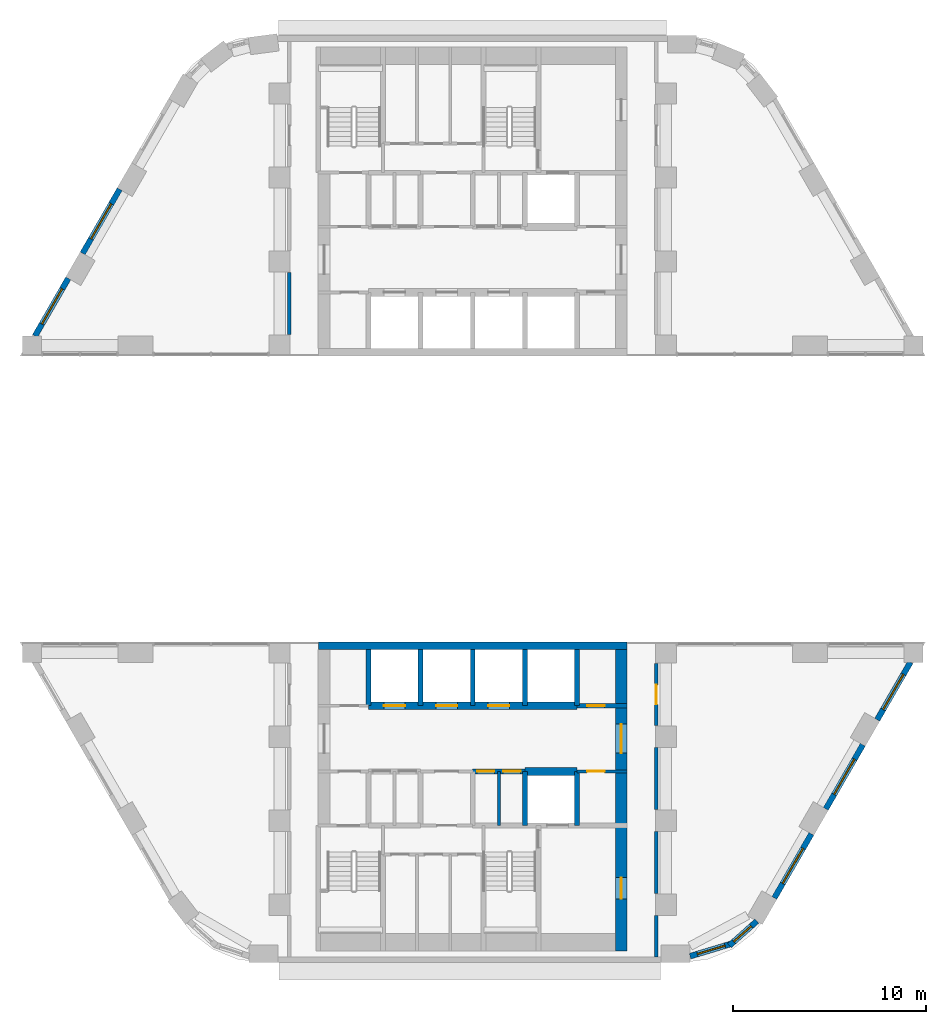
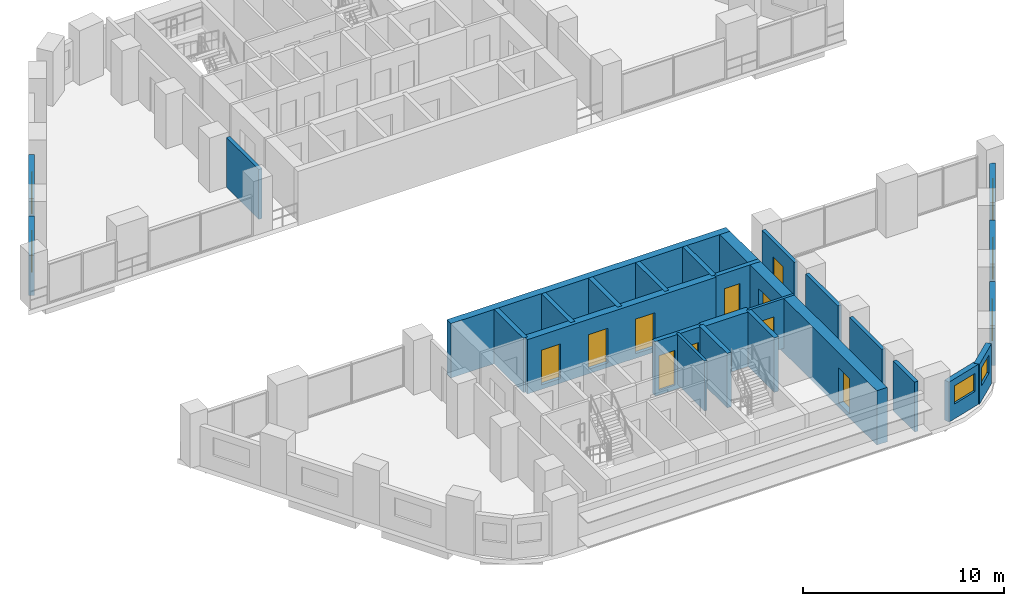
# One storey, part 6 of 11: 27 walls, 10 doors, 7 windows, 17 openings.
"""IFC4 building model written with IfcOpenShell, lengths in metres."""

from ifc_helpers import new_model, si_unit, direction, frame, frame_2d, origin, place, context, subcontext, project, spatial, rectangle, extrude, material, layer, layer_set, type_object, element, fill, save


model = new_model("IFC4")

# Units and contexts
model_context = context("Model", 3, precision=1e-05, world=origin(), true_north=direction((0.0, 1.0)))
body_context = subcontext(model_context, "Body", "Model", "MODEL_VIEW")
ifc_project = project(units=[si_unit("LENGTHUNIT", "METRE"), si_unit("AREAUNIT", "SQUARE_METRE"), si_unit("VOLUMEUNIT", "CUBIC_METRE"), si_unit("PLANEANGLEUNIT", "RADIAN"), si_unit("MASSUNIT", "GRAM", prefix="KILO")], contexts=[model_context])

# Site, building, storey
site_placement = place(None, origin())
site = spatial("IfcSite", under=ifc_project, at=site_placement, CompositionType="ELEMENT")
building_placement = place(site_placement, origin())
building = spatial("IfcBuilding", under=site, at=building_placement, Name="Nakaniwa Court", CompositionType="ELEMENT")
storey_placement = place(building_placement, frame((0.0, 0.0, 31.5)))
storey = spatial("IfcBuildingStorey", under=building, at=storey_placement, Name="L07", CompositionType="ELEMENT", Elevation=31.5)

# Walls
ifc_material_1 = material(Name="Acoustic double stud partition")
ifc_layer_1 = layer(ifc_material_1, 0.199951171875)
ifc_layer_set_1 = layer_set([ifc_layer_1], Name="Acoustic double stud partition")
wall_type_1 = type_object("IfcWallType", Name="Acoustic double stud partition 200", PredefinedType="PARTITIONING", material=ifc_layer_set_1)
wall_1_placement = place(storey_placement, frame((89.5, 56.300048828125, 0.0), z_axis=(0.0, 0.0, 1.0), x_axis=(0.0, 1.0, 0.0)))
element("IfcWall", 1, at=wall_1_placement, inside=storey, type_object=wall_type_1, Name="Partition PW-073", PredefinedType="PARTITIONING", context=body_context, shape_type="SweptSolid", body=[
    extrude(rectangle(XDim=2.133056640625, YDim=0.199951171875, at=frame_2d((1.06640625, 0.0))), origin(), (0.0, 0.0, 1.0), 3.02490234375),
])
for number, where, z_axis, x_axis, name in (
    (2, (89.5, 59.56689453125, 0.0), (0.0, 0.0, 1.0), (0.0, 1.0, 0.0), "Partition PW-074"),
    (3, (89.5, 63.9169921875, 0.0), (0.0, 0.0, 1.0), (0.0, 1.0, 0.0), "Partition PW-075"),
):
    element("IfcWall", number, at=place(storey_placement, frame(where, z_axis=z_axis, x_axis=x_axis)), inside=storey, type_object=wall_type_1, Name=name, PredefinedType="PARTITIONING", context=body_context, shape_type="SweptSolid", body=[
        extrude(rectangle(XDim=3.216064453125, YDim=0.199951171875, at=frame_2d((1.60791015625, 0.0))), origin(), (0.0, 0.0, 1.0), 3.02490234375),
    ])

# Wall, opening, door
wall_2_placement = place(storey_placement, frame((89.5, 71.48291015625, 0.0), z_axis=(0.0, 0.0, 1.0), x_axis=(0.0, -1.0, 0.0)))
wall_2 = element("IfcWall", 4, at=wall_2_placement, inside=storey, type_object=wall_type_1, Name="Partition PW-076", PredefinedType="PARTITIONING", context=body_context, shape_type="SweptSolid", body=[
    extrude(rectangle(XDim=3.2158203125, YDim=0.199951171875, at=frame_2d((1.60791015625, 0.0))), origin(), (0.0, 0.0, 1.0), 3.02490234375),
])
opening_1_placement = place(wall_2_placement, frame((1.10791015625, 0.0, 0.0)))
opening_1 = element("IfcOpeningElement", 5, at=opening_1_placement, cuts=wall_2, Name="Opening D-02-01", PredefinedType="OPENING", context=body_context, shape_type="SweptSolid", body=[
    extrude(rectangle(XDim=1.0, YDim=2.10009765625, at=frame_2d((0.5, 1.050048828125))), frame((0.0, 0.10986328125, 0.0), z_axis=(0.0, -1.0, 0.0), x_axis=(1.0, 0.0, 0.0)), (0.0, 0.0, 1.0), 0.219970703125),
])
ifc_material_2 = material(Name="Solid core timber door set, black veneer", Category="wood")
door_type_1 = type_object("IfcDoorType", Name="Internal door 1000", OperationType="NOTDEFINED", PredefinedType="DOOR", material=ifc_material_2)
door_1_placement = place(opening_1_placement, origin())
door_1 = element("IfcDoor", 6, at=door_1_placement, inside=storey, type_object=door_type_1, Name="Door D-02-01 L07-031", OperationType="SINGLE_SWING_RIGHT", OverallHeight=2.10009765625, OverallWidth=1.0, PredefinedType="DOOR", context=body_context, shape_type="SweptSolid", body=[
    extrude(rectangle(XDim=1.0, YDim=2.10009765625, at=frame_2d((0.5, 1.050048828125))), frame((0.0, 0.02490234375, 0.0), z_axis=(0.0, -1.0, 0.0), x_axis=(1.0, 0.0, 0.0)), (0.0, 0.0, 1.0), 0.050048828125),
])
fill(opening_1, door_1)

# Wall
wall_3_placement = place(storey_placement, frame((70.5, 88.51708984375, 0.0), z_axis=(0.0, 0.0, 1.0), x_axis=(0.0, 1.0, 0.0)))
element("IfcWall", 7, at=wall_3_placement, inside=storey, type_object=wall_type_1, Name="Partition PW-085", PredefinedType="PARTITIONING", context=body_context, shape_type="SweptSolid", body=[
    extrude(rectangle(XDim=3.2158203125, YDim=0.199951171875, at=frame_2d((1.60791015625, 0.0))), origin(), (0.0, 0.0, 1.0), 3.02490234375),
])

# Wall, opening, window
ifc_material_3 = material(Name="Charcoal ceramic cladding")
ifc_layer_2 = layer(ifc_material_3, 0.02, Name="Ceramic cladding")
ifc_material_4 = material(Name="Ventilated air cavity")
ifc_layer_3 = layer(ifc_material_4, 0.04, ventilated=True, Name="Ventilated cavity")
ifc_material_5 = material(Name="Mineral wool insulation")
ifc_layer_4 = layer(ifc_material_5, 0.1, Name="Insulation")
ifc_material_6 = material(Name="Cement bonded sheathing board")
ifc_layer_5 = layer(ifc_material_6, 0.012, Name="Sheathing")
ifc_material_7 = material(Name="Cold-formed galvanised stud frame with mineral wool infill")
ifc_layer_6 = layer(ifc_material_7, 0.1, Name="Stud frame")
ifc_material_8 = material(Name="Fire-rated gypsum plasterboard lining")
ifc_layer_7 = layer(ifc_material_8, 0.028, Name="Lining")
ifc_layer_set_2 = layer_set([ifc_layer_2, ifc_layer_3, ifc_layer_4, ifc_layer_5, ifc_layer_6, ifc_layer_7], Name="Charcoal ceramic faced external wall system")
wall_type_2 = type_object("IfcWallType", Name="Black ceramic faced external wall 300", PredefinedType="SOLIDWALL", material=ifc_layer_set_2)
wall_4_placement = place(storey_placement, frame((98.2783203125, 63.958984375, 0.0), z_axis=(0.0, 0.0, 1.0), x_axis=(0.500001735503, 0.866024401789, 0.0)))
wall_4 = element("IfcWall", 8, at=wall_4_placement, inside=storey, type_object=wall_type_2, Name="L07 external wall 00", PredefinedType="SOLIDWALL", context=body_context, shape_type="SweptSolid", body=[
    extrude(rectangle(XDim=3.833984375, YDim=0.300048828125, at=frame_2d((1.9169921875, 0.0))), origin(), (0.0, 0.0, 1.0), 2.425048828125),
])
opening_2_placement = place(wall_4_placement, frame((0.866943359375, 0.0, 0.89990234375)))
opening_2 = element("IfcOpeningElement", 9, at=opening_2_placement, cuts=wall_4, Name="Opening W7.01", PredefinedType="OPENING", context=body_context, shape_type="SweptSolid", body=[
    extrude(rectangle(XDim=2.10009765625, YDim=1.10009765625, at=frame_2d((1.050048828125, 0.550048828125))), frame((0.0, 0.159912109375, 0.0), z_axis=(0.0, -1.0, 0.0), x_axis=(1.0, 0.0, 0.0)), (0.0, 0.0, 1.0), 0.320068359375),
])
ifc_material_9 = material(Name="Black anodised aluminium frame with dark low-E laminated double glazing", Category="aluminium")
window_type_1 = type_object("IfcWindowType", Name="Dark glass window 2100x1100 sill 900", PartitioningType="SINGLE_PANEL", PredefinedType="WINDOW", material=ifc_material_9)
window_1_placement = place(opening_2_placement, origin())
window_1 = element("IfcWindow", 10, at=window_1_placement, inside=storey, type_object=window_type_1, Name="L07 habitable room window 00-0", OverallHeight=1.10009765625, OverallWidth=2.10009765625, PartitioningType="SINGLE_PANEL", PredefinedType="WINDOW", context=body_context, shape_type="SweptSolid", body=[
    extrude(rectangle(XDim=2.10009765625, YDim=1.10009765625, at=frame_2d((1.050048828125, 0.550048828125))), frame((0.0, 0.030029296875, 0.0), z_axis=(0.0, -1.0, 0.0), x_axis=(1.0, 0.0, 0.0)), (0.0, 0.0, 1.0), 0.06005859375),
])
fill(opening_2, window_1)

wall_5_placement = place(storey_placement, frame((100.941162109375, 68.5712890625, 0.0), z_axis=(0.0, 0.0, 1.0), x_axis=(0.500035437112, 0.866004943191, 0.0)))
wall_5 = element("IfcWall", 11, at=wall_5_placement, inside=storey, type_object=wall_type_2, Name="L07 external wall 01", PredefinedType="SOLIDWALL", context=body_context, shape_type="SweptSolid", body=[
    extrude(rectangle(XDim=3.443603515625, YDim=0.300048828125, at=frame_2d((1.7216796875, 0.0))), origin(), (0.0, 0.0, 1.0), 2.425048828125),
])
opening_3_placement = place(wall_5_placement, frame((0.62109375, 0.0, 0.89990234375)))
opening_3 = element("IfcOpeningElement", 12, at=opening_3_placement, cuts=wall_5, Name="Opening W7.02", PredefinedType="OPENING", context=body_context, shape_type="SweptSolid", body=[
    extrude(rectangle(XDim=2.10009765625, YDim=1.10009765625, at=frame_2d((1.050048828125, 0.550048828125))), frame((0.0, 0.159912109375, 0.0), z_axis=(0.0, -1.0, 0.0), x_axis=(1.0, 0.0, 0.0)), (0.0, 0.0, 1.0), 0.320068359375),
])
window_2_placement = place(opening_3_placement, origin())
window_2 = element("IfcWindow", 13, at=window_2_placement, inside=storey, type_object=window_type_1, Name="L07 habitable room window 01-0", OverallHeight=1.10009765625, OverallWidth=2.10009765625, PartitioningType="SINGLE_PANEL", PredefinedType="WINDOW", context=body_context, shape_type="SweptSolid", body=[
    extrude(rectangle(XDim=2.10009765625, YDim=1.10009765625, at=frame_2d((1.050048828125, 0.550048828125))), frame((0.0, 0.030029296875, 0.0), z_axis=(0.0, -1.0, 0.0), x_axis=(1.0, 0.0, 0.0)), (0.0, 0.0, 1.0), 0.06005859375),
])
fill(opening_3, window_2)

wall_6_placement = place(storey_placement, frame((91.25341796875, 56.331298828125, 0.0), z_axis=(0.0, 0.0, 1.0), x_axis=(0.957433631901, 0.288653495569, 0.0)))
wall_6 = element("IfcWall", 14, at=wall_6_placement, inside=storey, type_object=wall_type_2, Name="L07 external wall 12", PredefinedType="SOLIDWALL", context=body_context, shape_type="SweptSolid", body=[
    extrude(rectangle(XDim=2.212646484375, YDim=0.300048828125, at=frame_2d((1.1064453125, 0.0))), origin(), (0.0, 0.0, 1.0), 2.425048828125),
])
opening_4_placement = place(wall_6_placement, frame((0.394287109375, 0.0, 0.89990234375)))
opening_4 = element("IfcOpeningElement", 15, at=opening_4_placement, cuts=wall_6, Name="Opening W5.08", PredefinedType="OPENING", context=body_context, shape_type="SweptSolid", body=[
    extrude(rectangle(XDim=1.5, YDim=1.10009765625, at=frame_2d((0.75, 0.550048828125))), frame((0.0, 0.159912109375, 0.0), z_axis=(0.0, -1.0, 0.0), x_axis=(1.0, 0.0, 0.0)), (0.0, 0.0, 1.0), 0.320068359375),
])
window_type_2 = type_object("IfcWindowType", Name="Dark glass window 1500x1100 sill 900", PartitioningType="SINGLE_PANEL", PredefinedType="WINDOW", material=ifc_material_9)
window_3_placement = place(opening_4_placement, origin())
window_3 = element("IfcWindow", 16, at=window_3_placement, inside=storey, type_object=window_type_2, Name="L07 habitable room window 12-0", OverallHeight=1.10009765625, OverallWidth=1.5, PartitioningType="SINGLE_PANEL", PredefinedType="WINDOW", context=body_context, shape_type="SweptSolid", body=[
    extrude(rectangle(XDim=1.5, YDim=1.10009765625, at=frame_2d((0.75, 0.550048828125))), frame((0.0, 0.030029296875, 0.0), z_axis=(0.0, -1.0, 0.0), x_axis=(1.0, 0.0, 0.0)), (0.0, 0.0, 1.0), 0.06005859375),
])
fill(opening_4, window_3)

wall_7_placement = place(storey_placement, frame((93.288818359375, 56.882568359375, 0.0), z_axis=(0.0, 0.0, 1.0), x_axis=(0.746941556212, 0.664889698825, 0.0)))
wall_7 = element("IfcWall", 17, at=wall_7_placement, inside=storey, type_object=wall_type_2, Name="L07 external wall 13", PredefinedType="SOLIDWALL", context=body_context, shape_type="SweptSolid", body=[
    extrude(rectangle(XDim=1.9013671875, YDim=0.300048828125, at=frame_2d((0.95068359375, 0.0))), origin(), (0.0, 0.0, 1.0), 2.425048828125),
])
opening_5_placement = place(wall_7_placement, frame((0.31005859375, 0.0, 0.89990234375)))
opening_5 = element("IfcOpeningElement", 18, at=opening_5_placement, cuts=wall_7, Name="Opening W6.09", PredefinedType="OPENING", context=body_context, shape_type="SweptSolid", body=[
    extrude(rectangle(XDim=1.199951171875, YDim=1.10009765625, at=frame_2d((0.60009765625, 0.550048828125))), frame((0.0, 0.159912109375, 0.0), z_axis=(0.0, -1.0, 0.0), x_axis=(1.0, 0.0, 0.0)), (0.0, 0.0, 1.0), 0.320068359375),
])
window_type_3 = type_object("IfcWindowType", Name="Dark glass window 1200x1100 sill 900", PartitioningType="SINGLE_PANEL", PredefinedType="WINDOW", material=ifc_material_9)
window_4_placement = place(opening_5_placement, origin())
window_4 = element("IfcWindow", 19, at=window_4_placement, inside=storey, type_object=window_type_3, Name="L07 habitable room window 13-0", OverallHeight=1.10009765625, OverallWidth=1.199951171875, PartitioningType="SINGLE_PANEL", PredefinedType="WINDOW", context=body_context, shape_type="SweptSolid", body=[
    extrude(rectangle(XDim=1.199951171875, YDim=1.10009765625, at=frame_2d((0.60009765625, 0.550048828125))), frame((0.0, 0.030029296875, 0.0), z_axis=(0.0, -1.0, 0.0), x_axis=(1.0, 0.0, 0.0)), (0.0, 0.0, 1.0), 0.06005859375),
])
fill(opening_5, window_4)

wall_8_placement = place(storey_placement, frame((95.615234375, 59.346435546875, 0.0), z_axis=(0.0, 0.0, 1.0), x_axis=(0.499974163209, 0.866040320149, 0.0)))
wall_8 = element("IfcWall", 20, at=wall_8_placement, inside=storey, type_object=wall_type_2, Name="L07 external wall 14", PredefinedType="SOLIDWALL", context=body_context, shape_type="SweptSolid", body=[
    extrude(rectangle(XDim=3.834228515625, YDim=0.300048828125, at=frame_2d((1.9169921875, 0.0))), origin(), (0.0, 0.0, 1.0), 2.425048828125),
])
opening_6_placement = place(wall_8_placement, frame((0.8671875, 0.0, 0.89990234375)))
opening_6 = element("IfcOpeningElement", 21, at=opening_6_placement, cuts=wall_8, Name="Opening W7.10", PredefinedType="OPENING", context=body_context, shape_type="SweptSolid", body=[
    extrude(rectangle(XDim=2.10009765625, YDim=1.10009765625, at=frame_2d((1.050048828125, 0.550048828125))), frame((0.0, 0.159912109375, 0.0), z_axis=(0.0, -1.0, 0.0), x_axis=(1.0, 0.0, 0.0)), (0.0, 0.0, 1.0), 0.320068359375),
])
window_5_placement = place(opening_6_placement, origin())
window_5 = element("IfcWindow", 22, at=window_5_placement, inside=storey, type_object=window_type_1, Name="L07 habitable room window 14-0", OverallHeight=1.10009765625, OverallWidth=2.10009765625, PartitioningType="SINGLE_PANEL", PredefinedType="WINDOW", context=body_context, shape_type="SweptSolid", body=[
    extrude(rectangle(XDim=2.10009765625, YDim=1.10009765625, at=frame_2d((1.050048828125, 0.550048828125))), frame((0.0, 0.030029296875, 0.0), z_axis=(0.0, -1.0, 0.0), x_axis=(1.0, 0.0, 0.0)), (0.0, 0.0, 1.0), 0.06005859375),
])
fill(opening_6, window_5)

wall_9_placement = place(storey_placement, frame((61.7216796875, 96.041015625, 0.0), z_axis=(0.0, 0.0, 1.0), x_axis=(-0.500001735503, -0.866024401789, 0.0)))
wall_9 = element("IfcWall", 23, at=wall_9_placement, inside=storey, type_object=wall_type_2, Name="L07 external wall 15", PredefinedType="SOLIDWALL", context=body_context, shape_type="SweptSolid", body=[
    extrude(rectangle(XDim=3.833984375, YDim=0.300048828125, at=frame_2d((1.9169921875, 0.0))), origin(), (0.0, 0.0, 1.0), 2.425048828125),
])
opening_7_placement = place(wall_9_placement, frame((0.8671875, 0.0, 0.89990234375)))
opening_7 = element("IfcOpeningElement", 24, at=opening_7_placement, cuts=wall_9, Name="Opening W7.11", PredefinedType="OPENING", context=body_context, shape_type="SweptSolid", body=[
    extrude(rectangle(XDim=2.10009765625, YDim=1.10009765625, at=frame_2d((1.050048828125, 0.550048828125))), frame((0.0, 0.159912109375, 0.0), z_axis=(0.0, -1.0, 0.0), x_axis=(1.0, 0.0, 0.0)), (0.0, 0.0, 1.0), 0.320068359375),
])
window_6_placement = place(opening_7_placement, origin())
window_6 = element("IfcWindow", 25, at=window_6_placement, inside=storey, type_object=window_type_1, Name="L07 habitable room window 15-0", OverallHeight=1.10009765625, OverallWidth=2.10009765625, PartitioningType="SINGLE_PANEL", PredefinedType="WINDOW", context=body_context, shape_type="SweptSolid", body=[
    extrude(rectangle(XDim=2.10009765625, YDim=1.10009765625, at=frame_2d((1.050048828125, 0.550048828125))), frame((0.0, 0.030029296875, 0.0), z_axis=(0.0, -1.0, 0.0), x_axis=(1.0, 0.0, 0.0)), (0.0, 0.0, 1.0), 0.06005859375),
])
fill(opening_7, window_6)

wall_10_placement = place(storey_placement, frame((59.058837890625, 91.4287109375, 0.0), z_axis=(0.0, 0.0, 1.0), x_axis=(-0.500035437112, -0.866004943191, 0.0)))
wall_10 = element("IfcWall", 26, at=wall_10_placement, inside=storey, type_object=wall_type_2, Name="L07 external wall 16", PredefinedType="SOLIDWALL", context=body_context, shape_type="SweptSolid", body=[
    extrude(rectangle(XDim=3.443603515625, YDim=0.300048828125, at=frame_2d((1.7216796875, 0.0))), origin(), (0.0, 0.0, 1.0), 2.425048828125),
])
opening_8_placement = place(wall_10_placement, frame((0.62109375, 0.0, 0.89990234375)))
opening_8 = element("IfcOpeningElement", 27, at=opening_8_placement, cuts=wall_10, Name="Opening W7.12", PredefinedType="OPENING", context=body_context, shape_type="SweptSolid", body=[
    extrude(rectangle(XDim=2.10009765625, YDim=1.10009765625, at=frame_2d((1.050048828125, 0.550048828125))), frame((0.0, 0.159912109375, 0.0), z_axis=(0.0, -1.0, 0.0), x_axis=(1.0, 0.0, 0.0)), (0.0, 0.0, 1.0), 0.320068359375),
])
window_7_placement = place(opening_8_placement, origin())
window_7 = element("IfcWindow", 28, at=window_7_placement, inside=storey, type_object=window_type_1, Name="L07 habitable room window 16-0", OverallHeight=1.10009765625, OverallWidth=2.10009765625, PartitioningType="SINGLE_PANEL", PredefinedType="WINDOW", context=body_context, shape_type="SweptSolid", body=[
    extrude(rectangle(XDim=2.10009765625, YDim=1.10009765625, at=frame_2d((1.050048828125, 0.550048828125))), frame((0.0, 0.030029296875, 0.0), z_axis=(0.0, -1.0, 0.0), x_axis=(1.0, 0.0, 0.0)), (0.0, 0.0, 1.0), 0.06005859375),
])
fill(opening_8, window_7)

# Wall, opening, door
ifc_material_10 = material(Name="Blockwork partition", Category="masonry")
ifc_layer_8 = layer(ifc_material_10, 0.14990234375)
ifc_layer_set_3 = layer_set([ifc_layer_8], Name="Blockwork partition")
wall_type_3 = type_object("IfcWallType", Name="Blockwork partition 150", PredefinedType="PARTITIONING", material=ifc_layer_set_3)
wall_11_placement = place(storey_placement, frame((88.0, 65.89990234375, 0.0), z_axis=(0.0, 0.0, 1.0), x_axis=(-1.0, 0.0, 0.0)))
wall_11 = element("IfcWall", 29, at=wall_11_placement, inside=storey, type_object=wall_type_3, Name="Partition PW-054", PredefinedType="PARTITIONING", context=body_context, shape_type="SweptSolid", body=[
    extrude(rectangle(XDim=2.60302734375, YDim=0.14990234375, at=frame_2d((1.301513671875, 0.0))), origin(), (0.0, 0.0, 1.0), 3.02490234375),
])
opening_9_placement = place(wall_11_placement, frame((1.175048828125, 0.0, 0.0)))
opening_9 = element("IfcOpeningElement", 30, at=opening_9_placement, cuts=wall_11, Name="Opening D-05-17", PredefinedType="OPENING", context=body_context, shape_type="SweptSolid", body=[
    extrude(rectangle(XDim=0.89990234375, YDim=2.10009765625, at=frame_2d((0.449951171875, 1.050048828125))), frame((0.0, 0.0849609375, 0.0), z_axis=(0.0, -1.0, 0.0), x_axis=(1.0, 0.0, 0.0)), (0.0, 0.0, 1.0), 0.169921875),
])
ifc_material_11 = material(Name="Fire rated steel door set", Category="steel")
door_type_2 = type_object("IfcDoorType", Name="Service room door 900", OperationType="NOTDEFINED", PredefinedType="DOOR", material=ifc_material_11)
door_2_placement = place(opening_9_placement, origin())
door_2 = element("IfcDoor", 31, at=door_2_placement, inside=storey, type_object=door_type_2, Name="Door D-05-17 L07-024", OperationType="SINGLE_SWING_LEFT", OverallHeight=2.10009765625, OverallWidth=0.89990234375, PredefinedType="DOOR", context=body_context, shape_type="SweptSolid", body=[
    extrude(rectangle(XDim=0.89990234375, YDim=2.10009765625, at=frame_2d((0.449951171875, 1.050048828125))), frame((0.0, 0.02490234375, 0.0), z_axis=(0.0, -1.0, 0.0), x_axis=(1.0, 0.0, 0.0)), (0.0, 0.0, 1.0), 0.050048828125),
])
fill(opening_9, door_2)

# Wall
wall_12_placement = place(storey_placement, frame((81.35009765625, 63.10009765625, 0.0), z_axis=(0.0, 0.0, 1.0), x_axis=(0.0, 1.0, 0.0)))
element("IfcWall", 32, at=wall_12_placement, inside=storey, type_object=wall_type_3, Name="Partition PW-063", PredefinedType="PARTITIONING", context=body_context, shape_type="SweptSolid", body=[
    extrude(rectangle(XDim=2.7998046875, YDim=0.14990234375, at=frame_2d((1.39990234375, 0.0))), origin(), (0.0, 0.0, 1.0), 3.02490234375),
])

# Wall, openings, doors
ifc_material_12 = material(Name="Concrete C100/115", Category="concrete")
ifc_layer_9 = layer(ifc_material_12, 0.60009765625)
ifc_layer_set_4 = layer_set([ifc_layer_9], Name="Concrete C100/115")
wall_type_4 = type_object("IfcWallType", Name="Concrete core side wall 600 C100", PredefinedType="SHEAR", material=ifc_layer_set_4)
wall_13_placement = place(storey_placement, frame((87.699951171875, 72.199951171875, -0.27490234375), z_axis=(0.0, 0.0, 1.0), x_axis=(0.0, -1.0, 0.0)))
wall_13 = element("IfcWall", 33, at=wall_13_placement, inside=storey, type_object=wall_type_4, Name="Core wall SW-51", PredefinedType="SHEAR", context=body_context, shape_type="SweptSolid", body=[
    extrude(rectangle(XDim=15.599853515625, YDim=0.60009765625, at=frame_2d((7.7998046875, 0.0))), origin(), (0.0, 0.0, 1.0), 3.2998046875),
])
opening_10_placement = place(wall_13_placement, frame((3.85009765625, 0.0, 0.27490234375)))
opening_10 = element("IfcOpeningElement", 34, at=opening_10_placement, cuts=wall_13, Name="Opening D-07-03", PredefinedType="OPENING", context=body_context, shape_type="SweptSolid", body=[
    extrude(rectangle(XDim=1.5, YDim=2.10009765625, at=frame_2d((0.75, 1.050048828125))), frame((0.0, 0.31005859375, 0.0), z_axis=(0.0, -1.0, 0.0), x_axis=(1.0, 0.0, 0.0)), (0.0, 0.0, 1.0), 0.6201171875),
])
opening_11_placement = place(wall_13_placement, frame((11.800048828125, 0.0, 0.27490234375)))
opening_11 = element("IfcOpeningElement", 35, at=opening_11_placement, cuts=wall_13, Name="Opening D-10-02", PredefinedType="OPENING", context=body_context, shape_type="SweptSolid", body=[
    extrude(rectangle(XDim=1.10009765625, YDim=2.10009765625, at=frame_2d((0.550048828125, 1.050048828125))), frame((0.0, 0.31005859375, 0.0), z_axis=(0.0, -1.0, 0.0), x_axis=(1.0, 0.0, 0.0)), (0.0, 0.0, 1.0), 0.6201171875),
])
door_type_3 = type_object("IfcDoorType", Name="Firefighting lobby door 1100", OperationType="NOTDEFINED", PredefinedType="DOOR", material=ifc_material_11)
door_3_placement = place(opening_11_placement, origin())
door_3 = element("IfcDoor", 36, at=door_3_placement, inside=storey, type_object=door_type_3, Name="Door D-10-02 L07-040", OperationType="SINGLE_SWING_LEFT", OverallHeight=2.10009765625, OverallWidth=1.10009765625, PredefinedType="DOOR", context=body_context, shape_type="SweptSolid", body=[
    extrude(rectangle(XDim=1.10009765625, YDim=2.10009765625, at=frame_2d((0.550048828125, 1.050048828125))), frame((0.0, 0.02490234375, 0.0), z_axis=(0.0, -1.0, 0.0), x_axis=(1.0, 0.0, 0.0)), (0.0, 0.0, 1.0), 0.050048828125),
])
fill(opening_11, door_3)
ifc_material_13 = material(Name="Glazed fire rated steel double door set", Category="steel")
door_type_4 = type_object("IfcDoorType", Name="Lobby double door 1500", OperationType="NOTDEFINED", PredefinedType="DOOR", material=ifc_material_13)
door_4_placement = place(opening_10_placement, origin())
door_4 = element("IfcDoor", 37, at=door_4_placement, inside=storey, type_object=door_type_4, Name="Door D-07-03 L07-038", OperationType="DOUBLE_DOOR_SINGLE_SWING", OverallHeight=2.10009765625, OverallWidth=1.5, PredefinedType="DOOR", context=body_context, shape_type="SweptSolid", body=[
    extrude(rectangle(XDim=1.5, YDim=2.10009765625, at=frame_2d((0.75, 1.050048828125))), frame((0.0, 0.02490234375, 0.0), z_axis=(0.0, -1.0, 0.0), x_axis=(1.0, 0.0, 0.0)), (0.0, 0.0, 1.0), 0.050048828125),
])
fill(opening_10, door_4)

ifc_layer_10 = layer(ifc_material_12, 0.39990234375)
ifc_layer_set_5 = layer_set([ifc_layer_10], Name="Concrete C100/115")
wall_type_5 = type_object("IfcWallType", Name="Concrete core spine wall 400 C100", PredefinedType="SHEAR", material=ifc_layer_set_5)
wall_14_placement = place(storey_placement, frame((74.60009765625, 69.300048828125, -0.27490234375), z_axis=(0.0, 0.0, 1.0), x_axis=(1.0, 0.0, 0.0)))
wall_14 = element("IfcWall", 38, at=wall_14_placement, inside=storey, type_object=wall_type_5, Name="Core wall SW-43", PredefinedType="SHEAR", context=body_context, shape_type="SweptSolid", body=[
    extrude(rectangle(XDim=10.7998046875, YDim=0.39990234375, at=frame_2d((5.39990234375, 0.0))), origin(), (0.0, 0.0, 1.0), 3.2998046875),
])
opening_12_placement = place(wall_14_placement, frame((0.800048828125, 0.0, 0.27490234375)))
opening_12 = element("IfcOpeningElement", 39, at=opening_12_placement, cuts=wall_14, Name="Opening LD05", PredefinedType="OPENING", context=body_context, shape_type="SweptSolid", body=[
    extrude(rectangle(XDim=1.10009765625, YDim=2.10009765625, at=frame_2d((0.550048828125, 1.050048828125))), frame((0.0, 0.2099609375, 0.0), z_axis=(0.0, -1.0, 0.0), x_axis=(1.0, 0.0, 0.0)), (0.0, 0.0, 1.0), 0.419921875),
])
opening_13_placement = place(wall_14_placement, frame((3.5, 0.0, 0.27490234375)))
opening_13 = element("IfcOpeningElement", 40, at=opening_13_placement, cuts=wall_14, Name="Opening LD06", PredefinedType="OPENING", context=body_context, shape_type="SweptSolid", body=[
    extrude(rectangle(XDim=1.10009765625, YDim=2.10009765625, at=frame_2d((0.550048828125, 1.050048828125))), frame((0.0, 0.2099609375, 0.0), z_axis=(0.0, -1.0, 0.0), x_axis=(1.0, 0.0, 0.0)), (0.0, 0.0, 1.0), 0.419921875),
])
opening_14_placement = place(wall_14_placement, frame((6.199951171875, 0.0, 0.27490234375)))
opening_14 = element("IfcOpeningElement", 41, at=opening_14_placement, cuts=wall_14, Name="Opening LD07", PredefinedType="OPENING", context=body_context, shape_type="SweptSolid", body=[
    extrude(rectangle(XDim=1.10009765625, YDim=2.10009765625, at=frame_2d((0.550048828125, 1.050048828125))), frame((0.0, 0.2099609375, 0.0), z_axis=(0.0, -1.0, 0.0), x_axis=(1.0, 0.0, 0.0)), (0.0, 0.0, 1.0), 0.419921875),
])
ifc_material_14 = material(Name="Stainless steel sliding lift landing door", Category="steel")
door_type_5 = type_object("IfcDoorType", Name="Lift landing door 1100", OperationType="NOTDEFINED", PredefinedType="DOOR", material=ifc_material_14)
door_5_placement = place(opening_12_placement, origin())
door_5 = element("IfcDoor", 42, at=door_5_placement, inside=storey, type_object=door_type_5, Name="Lift landing door LD05 L07-005", OperationType="SLIDING_TO_LEFT", OverallHeight=2.10009765625, OverallWidth=1.10009765625, PredefinedType="DOOR", context=body_context, shape_type="SweptSolid", body=[
    extrude(rectangle(XDim=1.10009765625, YDim=2.10009765625, at=frame_2d((0.550048828125, 1.050048828125))), frame((0.0, 0.02490234375, 0.0), z_axis=(0.0, -1.0, 0.0), x_axis=(1.0, 0.0, 0.0)), (0.0, 0.0, 1.0), 0.050048828125),
])
fill(opening_12, door_5)
door_6_placement = place(opening_13_placement, origin())
door_6 = element("IfcDoor", 43, at=door_6_placement, inside=storey, type_object=door_type_5, Name="Lift landing door LD06 L07-006", OperationType="SLIDING_TO_LEFT", OverallHeight=2.10009765625, OverallWidth=1.10009765625, PredefinedType="DOOR", context=body_context, shape_type="SweptSolid", body=[
    extrude(rectangle(XDim=1.10009765625, YDim=2.10009765625, at=frame_2d((0.550048828125, 1.050048828125))), frame((0.0, 0.02490234375, 0.0), z_axis=(0.0, -1.0, 0.0), x_axis=(1.0, 0.0, 0.0)), (0.0, 0.0, 1.0), 0.050048828125),
])
fill(opening_13, door_6)
door_7_placement = place(opening_14_placement, origin())
door_7 = element("IfcDoor", 44, at=door_7_placement, inside=storey, type_object=door_type_5, Name="Lift landing door LD07 L07-007", OperationType="SLIDING_TO_LEFT", OverallHeight=2.10009765625, OverallWidth=1.10009765625, PredefinedType="DOOR", context=body_context, shape_type="SweptSolid", body=[
    extrude(rectangle(XDim=1.10009765625, YDim=2.10009765625, at=frame_2d((0.550048828125, 1.050048828125))), frame((0.0, 0.02490234375, 0.0), z_axis=(0.0, -1.0, 0.0), x_axis=(1.0, 0.0, 0.0)), (0.0, 0.0, 1.0), 0.050048828125),
])
fill(opening_14, door_7)

# Walls
wall_15_placement = place(storey_placement, frame((82.697021484375, 65.89990234375, -0.27490234375), z_axis=(0.0, 0.0, 1.0), x_axis=(1.0, 0.0, 0.0)))
element("IfcWall", 45, at=wall_15_placement, inside=storey, type_object=wall_type_5, Name="Core wall SW-57", PredefinedType="SHEAR", context=body_context, shape_type="SweptSolid", body=[
    extrude(rectangle(XDim=2.7060546875, YDim=0.39990234375, at=frame_2d((1.35302734375, 0.0))), origin(), (0.0, 0.0, 1.0), 3.2998046875),
])
ifc_layer_11 = layer(ifc_material_12, 0.39990234375)
ifc_layer_set_6 = layer_set([ifc_layer_11], Name="Concrete C100/115")
wall_type_6 = type_object("IfcWallType", Name="Concrete core well wall 400 C100", PredefinedType="SHEAR", material=ifc_layer_set_6)
wall_16_placement = place(storey_placement, frame((72.00390625, 72.39990234375, -0.27490234375), z_axis=(0.0, 0.0, 1.0), x_axis=(1.0, 0.0, 0.0)))
element("IfcWall", 46, at=wall_16_placement, inside=storey, type_object=wall_type_6, Name="Core wall SW-91", PredefinedType="SHEAR", context=body_context, shape_type="SweptSolid", body=[
    extrude(rectangle(XDim=15.9921875, YDim=0.39990234375, at=frame_2d((7.99609375, 0.0))), origin(), (0.0, 0.0, 1.0), 3.2998046875),
])
ifc_layer_12 = layer(ifc_material_12, 0.25)
ifc_layer_set_7 = layer_set([ifc_layer_12], Name="Concrete C100/115")
wall_type_7 = type_object("IfcWallType", Name="Concrete shaft wall 250 C100", PredefinedType="SHEAR", material=ifc_layer_set_7)
for number, where, z_axis, x_axis, name in (
    (47, (74.60009765625, 69.300048828125, -0.27490234375), (0.0, 0.0, 1.0), (0.0, 1.0, 0.0), "Core wall SW-38"),
    (48, (77.300048828125, 69.300048828125, -0.27490234375), (0.0, 0.0, 1.0), (0.0, 1.0, 0.0), "Core wall SW-42"),
    (49, (80.0, 69.300048828125, -0.27490234375), (0.0, 0.0, 1.0), (0.0, 1.0, 0.0), "Core wall SW-45"),
):
    element("IfcWall", number, at=place(storey_placement, frame(where, z_axis=z_axis, x_axis=x_axis)), inside=storey, type_object=wall_type_7, Name=name, PredefinedType="SHEAR", context=body_context, shape_type="SweptSolid", body=[
        extrude(rectangle(XDim=2.89990234375, YDim=0.25, at=frame_2d((1.449951171875, 0.0))), origin(), (0.0, 0.0, 1.0), 3.2998046875),
    ])
wall_17_placement = place(storey_placement, frame((82.699951171875, 63.10009765625, -0.27490234375), z_axis=(0.0, 0.0, 1.0), x_axis=(0.0, 1.0, 0.0)))
element("IfcWall", 50, at=wall_17_placement, inside=storey, type_object=wall_type_7, Name="Core wall SW-46", PredefinedType="SHEAR", context=body_context, shape_type="SweptSolid", body=[
    extrude(rectangle(XDim=2.7998046875, YDim=0.25, at=frame_2d((1.39990234375, 0.0))), origin(), (0.0, 0.0, 1.0), 3.2998046875),
])
wall_18_placement = place(storey_placement, frame((82.699951171875, 69.300048828125, -0.27490234375), z_axis=(0.0, 0.0, 1.0), x_axis=(0.0, 1.0, 0.0)))
element("IfcWall", 51, at=wall_18_placement, inside=storey, type_object=wall_type_7, Name="Core wall SW-47", PredefinedType="SHEAR", context=body_context, shape_type="SweptSolid", body=[
    extrude(rectangle(XDim=2.89990234375, YDim=0.25, at=frame_2d((1.449951171875, 0.0))), origin(), (0.0, 0.0, 1.0), 3.2998046875),
])
wall_19_placement = place(storey_placement, frame((85.39990234375, 63.10009765625, -0.27490234375), z_axis=(0.0, 0.0, 1.0), x_axis=(0.0, 1.0, 0.0)))
element("IfcWall", 52, at=wall_19_placement, inside=storey, type_object=wall_type_7, Name="Core wall SW-48", PredefinedType="SHEAR", context=body_context, shape_type="SweptSolid", body=[
    extrude(rectangle(XDim=2.7998046875, YDim=0.25, at=frame_2d((1.39990234375, 0.0))), origin(), (0.0, 0.0, 1.0), 3.2998046875),
])
wall_20_placement = place(storey_placement, frame((85.39990234375, 69.300048828125, -0.27490234375), z_axis=(0.0, 0.0, 1.0), x_axis=(0.0, 1.0, 0.0)))
element("IfcWall", 53, at=wall_20_placement, inside=storey, type_object=wall_type_7, Name="Core wall SW-49", PredefinedType="SHEAR", context=body_context, shape_type="SweptSolid", body=[
    extrude(rectangle(XDim=2.89990234375, YDim=0.25, at=frame_2d((1.449951171875, 0.0))), origin(), (0.0, 0.0, 1.0), 3.2998046875),
])

# Wall, opening, door
wall_21_placement = place(storey_placement, frame((85.39990234375, 69.300048828125, -0.27490234375), z_axis=(0.0, 0.0, 1.0), x_axis=(1.0, 0.0, 0.0)))
wall_21 = element("IfcWall", 54, at=wall_21_placement, inside=storey, type_object=wall_type_7, Name="Core wall SW-50", PredefinedType="SHEAR", context=body_context, shape_type="SweptSolid", body=[
    extrude(rectangle(XDim=2.60009765625, YDim=0.25, at=frame_2d((1.300048828125, 0.0))), origin(), (0.0, 0.0, 1.0), 3.2998046875),
])
opening_15_placement = place(wall_21_placement, frame((0.52490234375, 0.0, 0.27490234375)))
opening_15 = element("IfcOpeningElement", 55, at=opening_15_placement, cuts=wall_21, Name="Opening D-05-12", PredefinedType="OPENING", context=body_context, shape_type="SweptSolid", body=[
    extrude(rectangle(XDim=0.89990234375, YDim=2.10009765625, at=frame_2d((0.449951171875, 1.050048828125))), frame((0.0, 0.135009765625, 0.0), z_axis=(0.0, -1.0, 0.0), x_axis=(1.0, 0.0, 0.0)), (0.0, 0.0, 1.0), 0.27001953125),
])
door_8_placement = place(opening_15_placement, origin())
door_8 = element("IfcDoor", 56, at=door_8_placement, inside=storey, type_object=door_type_2, Name="Door D-05-12 L07-017", OperationType="SINGLE_SWING_RIGHT", OverallHeight=2.10009765625, OverallWidth=0.89990234375, PredefinedType="DOOR", context=body_context, shape_type="SweptSolid", body=[
    extrude(rectangle(XDim=0.89990234375, YDim=2.10009765625, at=frame_2d((0.449951171875, 1.050048828125))), frame((0.0, 0.02490234375, 0.0), z_axis=(0.0, -1.0, 0.0), x_axis=(1.0, 0.0, 0.0)), (0.0, 0.0, 1.0), 0.050048828125),
])
fill(opening_15, door_8)

# Wall, openings, doors
wall_22_placement = place(storey_placement, frame((82.702880859375, 65.89990234375, -0.27490234375), z_axis=(0.0, 0.0, 1.0), x_axis=(-1.0, 0.0, 0.0)))
wall_22 = element("IfcWall", 57, at=wall_22_placement, inside=storey, type_object=wall_type_7, Name="Core wall SW-56", PredefinedType="SHEAR", context=body_context, shape_type="SweptSolid", body=[
    extrude(rectangle(XDim=2.705810546875, YDim=0.25, at=frame_2d((1.35302734375, 0.0))), origin(), (0.0, 0.0, 1.0), 3.2998046875),
])
opening_16_placement = place(wall_22_placement, frame((1.577880859375, 0.0, 0.27490234375)))
opening_16 = element("IfcOpeningElement", 58, at=opening_16_placement, cuts=wall_22, Name="Opening D-05-15", PredefinedType="OPENING", context=body_context, shape_type="SweptSolid", body=[
    extrude(rectangle(XDim=0.89990234375, YDim=2.10009765625, at=frame_2d((0.449951171875, 1.050048828125))), frame((0.0, 0.135009765625, 0.0), z_axis=(0.0, -1.0, 0.0), x_axis=(1.0, 0.0, 0.0)), (0.0, 0.0, 1.0), 0.27001953125),
])
opening_17_placement = place(wall_22_placement, frame((0.22802734375, 0.0, 0.27490234375)))
opening_17 = element("IfcOpeningElement", 59, at=opening_17_placement, cuts=wall_22, Name="Opening D-05-16", PredefinedType="OPENING", context=body_context, shape_type="SweptSolid", body=[
    extrude(rectangle(XDim=0.89990234375, YDim=2.10009765625, at=frame_2d((0.449951171875, 1.050048828125))), frame((0.0, 0.135009765625, 0.0), z_axis=(0.0, -1.0, 0.0), x_axis=(1.0, 0.0, 0.0)), (0.0, 0.0, 1.0), 0.27001953125),
])
door_9_placement = place(opening_16_placement, origin())
door_9 = element("IfcDoor", 60, at=door_9_placement, inside=storey, type_object=door_type_2, Name="Door D-05-15 L07-022", OperationType="SINGLE_SWING_LEFT", OverallHeight=2.10009765625, OverallWidth=0.89990234375, PredefinedType="DOOR", context=body_context, shape_type="SweptSolid", body=[
    extrude(rectangle(XDim=0.89990234375, YDim=2.10009765625, at=frame_2d((0.449951171875, 1.050048828125))), frame((0.0, 0.02490234375, 0.0), z_axis=(0.0, -1.0, 0.0), x_axis=(1.0, 0.0, 0.0)), (0.0, 0.0, 1.0), 0.050048828125),
])
fill(opening_16, door_9)
door_10_placement = place(opening_17_placement, origin())
door_10 = element("IfcDoor", 61, at=door_10_placement, inside=storey, type_object=door_type_2, Name="Door D-05-16 L07-023", OperationType="SINGLE_SWING_RIGHT", OverallHeight=2.10009765625, OverallWidth=0.89990234375, PredefinedType="DOOR", context=body_context, shape_type="SweptSolid", body=[
    extrude(rectangle(XDim=0.89990234375, YDim=2.10009765625, at=frame_2d((0.449951171875, 1.050048828125))), frame((0.0, 0.02490234375, 0.0), z_axis=(0.0, -1.0, 0.0), x_axis=(1.0, 0.0, 0.0)), (0.0, 0.0, 1.0), 0.050048828125),
])
fill(opening_17, door_10)

save(model, "model.ifc")
